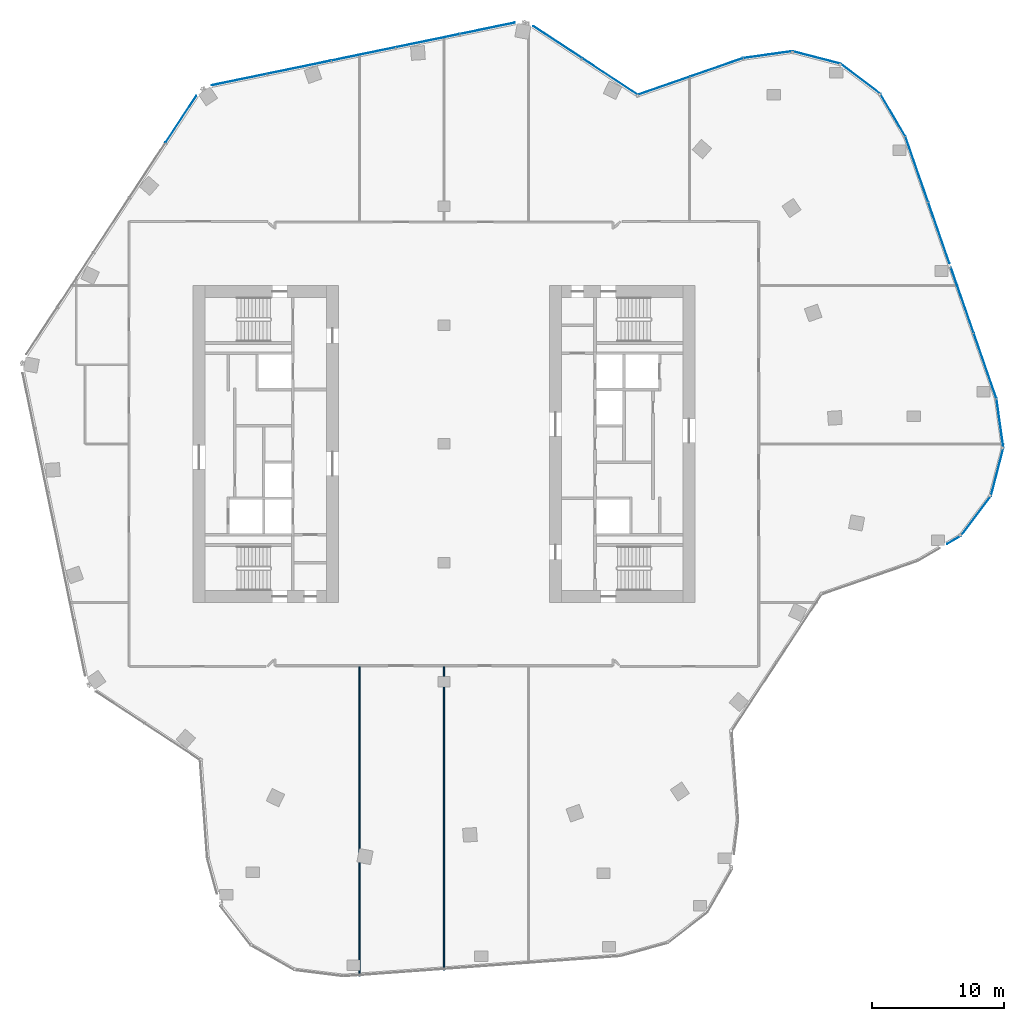
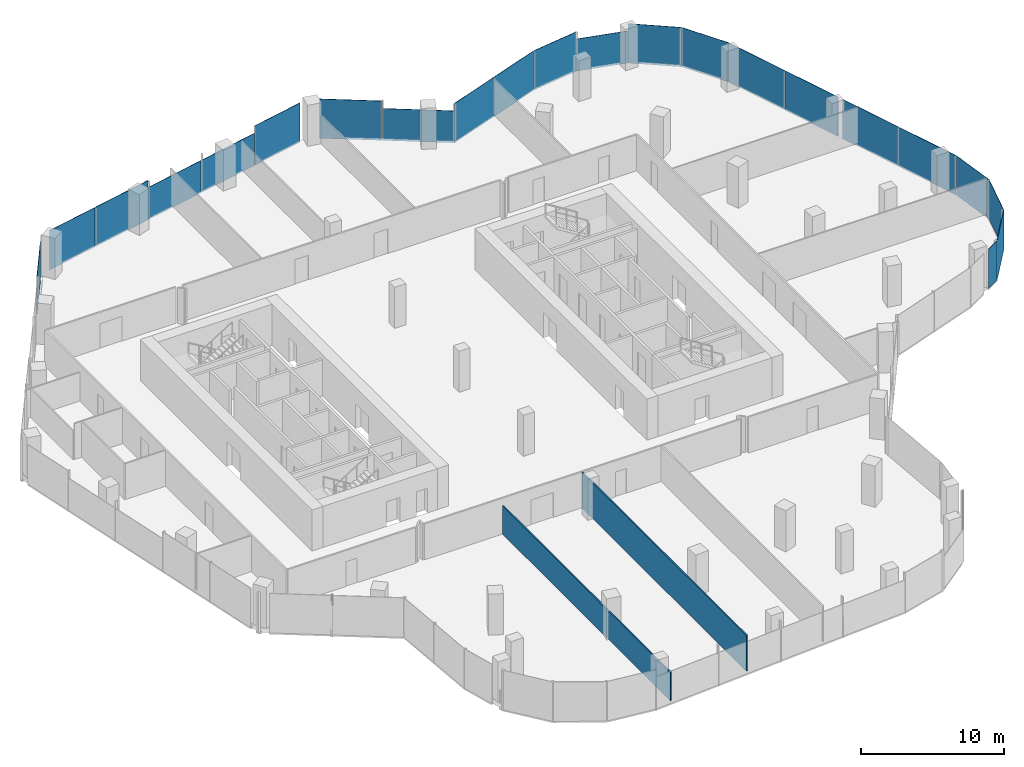
# One storey, part 17 of 24: 22 plates, 2 walls, 13 elements without a shape of their own.
"""IFC4 building model written with IfcOpenShell, lengths in metres."""

from ifc_helpers import new_model, si_unit, direction, frame, frame_2d, origin, origin_2d, place, context, subcontext, project, spatial, rectangle, extrude, material, layer, layer_set, type_object, element, aggregate, save


model = new_model("IFC4")

# Units and contexts
model_context = context("Model", 3, precision=1e-05, world=origin(), true_north=direction((0.0, 1.0)))
body_context = subcontext(model_context, "Body", "Model", "MODEL_VIEW")
ifc_project = project(units=[si_unit("LENGTHUNIT", "METRE"), si_unit("AREAUNIT", "SQUARE_METRE"), si_unit("VOLUMEUNIT", "CUBIC_METRE"), si_unit("PLANEANGLEUNIT", "RADIAN"), si_unit("MASSUNIT", "GRAM", prefix="KILO")], contexts=[model_context])

# Site, building, storey
site_placement = place(None, origin())
site = spatial("IfcSite", under=ifc_project, at=site_placement, CompositionType="ELEMENT")
building_placement = place(site_placement, origin())
building = spatial("IfcBuilding", under=site, at=building_placement, Name="Orlundy Tower", CompositionType="ELEMENT")
storey_placement = place(building_placement, frame((0.0, 0.0, 246.0)))
storey = spatial("IfcBuildingStorey", under=building, at=storey_placement, Name="L65", CompositionType="ELEMENT", Elevation=246.0)

# Curtain wall, plate
ifc_material_1 = material(Name="Aluminium bronze anodised", Category="aluminium")
curtain_wall_type = type_object("IfcCurtainWallType", Name="CW1 wall", PredefinedType="NOTDEFINED", material=ifc_material_1)
curtain_wall_1_placement = place(storey_placement, origin())
curtain_wall_1 = element("IfcCurtainWall", 1, at=curtain_wall_1_placement, inside=storey, type_object=curtain_wall_type, Name="CW1 run 015", PredefinedType="NOTDEFINED")
ifc_material_2 = material(Name="Tinted glass", Category="glass")
ifc_layer_1 = layer(ifc_material_2, 0.031982421875)
ifc_layer_set_1 = layer_set([ifc_layer_1], Name="CW1 glass panel 32")
plate_type = type_object("IfcPlateType", Name="CW1 glass panel 32", PredefinedType="CURTAIN_PANEL", material=ifc_layer_set_1)
plate_1_placement = place(storey_placement, frame((-19.9287109375, 24.592041015625, -0.2802734375), z_axis=(0.0, 0.0, 1.0), x_axis=(0.5495174705, 0.835482225793, 0.0)))
plate_1 = element("IfcPlate", 2, at=plate_1_placement, type_object=plate_type, Name="CW1 panel", PredefinedType="CURTAIN_PANEL", context=body_context, shape_type="SweptSolid", body=[
    extrude(rectangle(XDim=4.229248046875, YDim=0.031982421875, at=origin_2d()), origin(), (0.0, 0.0, 1.0), 3.360107421875),
])
aggregate(curtain_wall_1, [plate_1])

# Curtain wall, plates
curtain_wall_2_placement = place(storey_placement, origin())
curtain_wall_2 = element("IfcCurtainWall", 3, at=curtain_wall_2_placement, inside=storey, type_object=curtain_wall_type, Name="CW1 run 016", PredefinedType="NOTDEFINED")
plate_2_placement = place(storey_placement, frame((-15.496337890625, 27.60009765625, -0.2802734375), z_axis=(0.0, 0.0, 1.0), x_axis=(0.979337428215, 0.202233038095, 0.0)))
plate_2 = element("IfcPlate", 4, at=plate_2_placement, type_object=plate_type, Name="CW1 panel", PredefinedType="CURTAIN_PANEL", context=body_context, shape_type="SweptSolid", body=[
    extrude(rectangle(XDim=4.228271484375, YDim=0.031982421875, at=origin_2d()), origin(), (0.0, 0.0, 1.0), 3.360107421875),
])
plate_3_placement = place(storey_placement, frame((-10.967529296875, 28.535400390625, -0.2802734375), z_axis=(0.0, 0.0, 1.0), x_axis=(0.979337428215, 0.202233038095, 0.0)))
plate_3 = element("IfcPlate", 5, at=plate_3_placement, type_object=plate_type, Name="CW1 panel", PredefinedType="CURTAIN_PANEL", context=body_context, shape_type="SweptSolid", body=[
    extrude(rectangle(XDim=4.92041015625, YDim=0.031982421875, at=origin_2d()), origin(), (0.0, 0.0, 1.0), 3.360107421875),
])
plate_4_placement = place(storey_placement, frame((-6.099609375, 29.54052734375, -0.27978515625), z_axis=(0.0, 0.0, 1.0), x_axis=(0.979337428215, 0.202233038095, 0.0)))
plate_4 = element("IfcPlate", 6, at=plate_4_placement, type_object=plate_type, Name="CW1 panel", PredefinedType="CURTAIN_PANEL", context=body_context, shape_type="SweptSolid", body=[
    extrude(rectangle(XDim=4.92041015625, YDim=0.031982421875, at=origin_2d()), origin(), (0.0, 0.0, 1.0), 2.743896484375),
])
plate_5_placement = place(storey_placement, frame((-1.23193359375, 30.5458984375, -0.27978515625), z_axis=(0.0, 0.0, 1.0), x_axis=(0.979337428215, 0.202233038095, 0.0)))
plate_5 = element("IfcPlate", 7, at=plate_5_placement, type_object=plate_type, Name="CW1 panel", PredefinedType="CURTAIN_PANEL", context=body_context, shape_type="SweptSolid", body=[
    extrude(rectangle(XDim=4.92041015625, YDim=0.031982421875, at=origin_2d()), origin(), (0.0, 0.0, 1.0), 2.743896484375),
])
plate_6_placement = place(storey_placement, frame((3.297119140625, 31.48095703125, -0.2802734375), z_axis=(0.0, 0.0, 1.0), x_axis=(0.979337428215, 0.202233038095, 0.0)))
plate_6 = element("IfcPlate", 8, at=plate_6_placement, type_object=plate_type, Name="CW1 panel", PredefinedType="CURTAIN_PANEL", context=body_context, shape_type="SweptSolid", body=[
    extrude(rectangle(XDim=4.228759765625, YDim=0.031982421875, at=origin_2d()), origin(), (0.0, 0.0, 1.0), 3.360107421875),
])
aggregate(curtain_wall_2, [plate_2, plate_3, plate_4, plate_5, plate_6])

curtain_wall_3_placement = place(storey_placement, origin())
curtain_wall_3 = element("IfcCurtainWall", 9, at=curtain_wall_3_placement, inside=storey, type_object=curtain_wall_type, Name="CW1 run 017", PredefinedType="NOTDEFINED")
plate_7_placement = place(storey_placement, frame((8.620361328125, 30.43359375, -0.2802734375), z_axis=(0.0, 0.0, 1.0), x_axis=(0.835505597573, -0.549481934574, 0.0)))
plate_7 = element("IfcPlate", 10, at=plate_7_placement, type_object=plate_type, Name="CW1 panel", PredefinedType="CURTAIN_PANEL", context=body_context, shape_type="SweptSolid", body=[
    extrude(rectangle(XDim=4.37646484375, YDim=0.031982421875, at=origin_2d()), origin(), (0.0, 0.0, 1.0), 3.360107421875),
])
plate_8_placement = place(storey_placement, frame((12.58447265625, 27.82666015625, -0.27978515625), z_axis=(0.0, 0.0, 1.0), x_axis=(0.835505597573, -0.549481934574, 0.0)))
plate_8 = element("IfcPlate", 11, at=plate_8_placement, type_object=plate_type, Name="CW1 panel", PredefinedType="CURTAIN_PANEL", context=body_context, shape_type="SweptSolid", body=[
    extrude(rectangle(XDim=5.0126953125, YDim=0.031982421875, at=origin_2d()), origin(), (0.0, 0.0, 1.0), 2.719970703125),
])
aggregate(curtain_wall_3, [plate_7, plate_8])

curtain_wall_4_placement = place(storey_placement, origin())
curtain_wall_4 = element("IfcCurtainWall", 12, at=curtain_wall_4_placement, inside=storey, type_object=curtain_wall_type, Name="CW1 run 018", PredefinedType="NOTDEFINED")
plate_9_placement = place(storey_placement, frame((16.643310546875, 27.13232421875, -0.2802734375), z_axis=(0.0, 0.0, 1.0), x_axis=(0.94457424985, 0.328297862498, 0.0)))
plate_9 = element("IfcPlate", 13, at=plate_9_placement, type_object=plate_type, Name="CW1 panel", PredefinedType="CURTAIN_PANEL", context=body_context, shape_type="SweptSolid", body=[
    extrude(rectangle(XDim=4.16015625, YDim=0.031982421875, at=origin_2d()), origin(), (0.0, 0.0, 1.0), 3.360107421875),
])
plate_10_placement = place(storey_placement, frame((20.654052734375, 28.5263671875, -0.2802734375), z_axis=(0.0, 0.0, 1.0), x_axis=(0.94457424985, 0.328297862498, 0.0)))
plate_10 = element("IfcPlate", 14, at=plate_10_placement, type_object=plate_type, Name="CW1 panel", PredefinedType="CURTAIN_PANEL", context=body_context, shape_type="SweptSolid", body=[
    extrude(rectangle(XDim=4.23193359375, YDim=0.031982421875, at=origin_2d()), origin(), (0.0, 0.0, 1.0), 3.360107421875),
])
aggregate(curtain_wall_4, [plate_9, plate_10])

# Curtain wall, plate
curtain_wall_5_placement = place(storey_placement, origin())
curtain_wall_5 = element("IfcCurtainWall", 15, at=curtain_wall_5_placement, inside=storey, type_object=curtain_wall_type, Name="CW1 run 019", PredefinedType="NOTDEFINED")
plate_11_placement = place(storey_placement, frame((24.549072265625, 29.48974609375, -0.2802734375), z_axis=(0.0, 0.0, 1.0), x_axis=(0.99045548405, 0.137832993566, 0.0)))
plate_11 = element("IfcPlate", 16, at=plate_11_placement, type_object=plate_type, Name="CW1 panel", PredefinedType="CURTAIN_PANEL", context=body_context, shape_type="SweptSolid", body=[
    extrude(rectangle(XDim=3.73095703125, YDim=0.031982421875, at=origin_2d()), origin(), (0.0, 0.0, 1.0), 3.360107421875),
])
aggregate(curtain_wall_5, [plate_11])

curtain_wall_6_placement = place(storey_placement, origin())
curtain_wall_6 = element("IfcCurtainWall", 17, at=curtain_wall_6_placement, inside=storey, type_object=curtain_wall_type, Name="CW1 run 020", PredefinedType="NOTDEFINED")
plate_12_placement = place(storey_placement, frame((28.221923828125, 29.271728515625, -0.27978515625), z_axis=(0.0, 0.0, 1.0), x_axis=(0.967731773149, -0.251982569313, 0.0)))
plate_12 = element("IfcPlate", 18, at=plate_12_placement, type_object=plate_type, Name="CW1 panel", PredefinedType="CURTAIN_PANEL", context=body_context, shape_type="SweptSolid", body=[
    extrude(rectangle(XDim=3.77197265625, YDim=0.031982421875, at=origin_2d()), origin(), (0.0, 0.0, 1.0), 2.743896484375),
])
aggregate(curtain_wall_6, [plate_12])

curtain_wall_7_placement = place(storey_placement, origin())
curtain_wall_7 = element("IfcCurtainWall", 19, at=curtain_wall_7_placement, inside=storey, type_object=curtain_wall_type, Name="CW1 run 021", PredefinedType="NOTDEFINED")
plate_13_placement = place(storey_placement, frame((31.55126953125, 27.659423828125, -0.2802734375), z_axis=(0.0, 0.0, 1.0), x_axis=(0.797760617853, -0.602974291826, 0.0)))
plate_13 = element("IfcPlate", 20, at=plate_13_placement, type_object=plate_type, Name="CW1 panel", PredefinedType="CURTAIN_PANEL", context=body_context, shape_type="SweptSolid", body=[
    extrude(rectangle(XDim=3.771728515625, YDim=0.031982421875, at=origin_2d()), origin(), (0.0, 0.0, 1.0), 3.360107421875),
])
aggregate(curtain_wall_7, [plate_13])

curtain_wall_8_placement = place(storey_placement, origin())
curtain_wall_8 = element("IfcCurtainWall", 21, at=curtain_wall_8_placement, inside=storey, type_object=curtain_wall_type, Name="CW1 run 022", PredefinedType="NOTDEFINED")
plate_14_placement = place(storey_placement, frame((34.00048828125, 24.9140625, -0.2802734375), z_axis=(0.0, 0.0, 1.0), x_axis=(0.506418670322, -0.862287730604, 0.0)))
plate_14 = element("IfcPlate", 22, at=plate_14_placement, type_object=plate_type, Name="CW1 panel", PredefinedType="CURTAIN_PANEL", context=body_context, shape_type="SweptSolid", body=[
    extrude(rectangle(XDim=3.72998046875, YDim=0.031982421875, at=origin_2d()), origin(), (0.0, 0.0, 1.0), 3.360107421875),
])
aggregate(curtain_wall_8, [plate_14])

# Curtain wall, plates
curtain_wall_9_placement = place(storey_placement, origin())
curtain_wall_9 = element("IfcCurtainWall", 23, at=curtain_wall_9_placement, inside=storey, type_object=curtain_wall_type, Name="CW1 run 023", PredefinedType="NOTDEFINED")
plate_15_placement = place(storey_placement, frame((35.822021484375, 20.796875, -0.2802734375), z_axis=(0.0, 0.0, 1.0), x_axis=(0.328287898416, -0.944577712924, 0.0)))
plate_15 = element("IfcPlate", 24, at=plate_15_placement, type_object=plate_type, Name="CW1 panel", PredefinedType="CURTAIN_PANEL", context=body_context, shape_type="SweptSolid", body=[
    extrude(rectangle(XDim=5.216064453125, YDim=0.031982421875, at=origin_2d()), origin(), (0.0, 0.0, 1.0), 3.360107421875),
])
plate_16_placement = place(storey_placement, frame((37.49169921875, 15.9931640625, -0.2802734375), z_axis=(0.0, 0.0, 1.0), x_axis=(0.328287898416, -0.944577712924, 0.0)))
plate_16 = element("IfcPlate", 25, at=plate_16_placement, type_object=plate_type, Name="CW1 panel", PredefinedType="CURTAIN_PANEL", context=body_context, shape_type="SweptSolid", body=[
    extrude(rectangle(XDim=4.855224609375, YDim=0.031982421875, at=origin_2d()), origin(), (0.0, 0.0, 1.0), 3.360107421875),
])
plate_17_placement = place(storey_placement, frame((39.271728515625, 10.871337890625, -0.2802734375), z_axis=(0.0, 0.0, 1.0), x_axis=(0.328287898416, -0.944577712924, 0.0)))
plate_17 = element("IfcPlate", 26, at=plate_17_placement, type_object=plate_type, Name="CW1 panel", PredefinedType="CURTAIN_PANEL", context=body_context, shape_type="SweptSolid", body=[
    extrude(rectangle(XDim=5.199951171875, YDim=0.031982421875, at=origin_2d()), origin(), (0.0, 0.0, 1.0), 3.360107421875),
])
plate_18_placement = place(storey_placement, frame((40.997802734375, 5.90478515625, -0.2802734375), z_axis=(0.0, 0.0, 1.0), x_axis=(0.328287898416, -0.944577712924, 0.0)))
plate_18 = element("IfcPlate", 27, at=plate_18_placement, type_object=plate_type, Name="CW1 panel", PredefinedType="CURTAIN_PANEL", context=body_context, shape_type="SweptSolid", body=[
    extrude(rectangle(XDim=5.216064453125, YDim=0.031982421875, at=origin_2d()), origin(), (0.0, 0.0, 1.0), 3.360107421875),
])
aggregate(curtain_wall_9, [plate_15, plate_16, plate_17, plate_18])

# Curtain wall, plate
curtain_wall_10_placement = place(storey_placement, origin())
curtain_wall_10 = element("IfcCurtainWall", 28, at=curtain_wall_10_placement, inside=storey, type_object=curtain_wall_type, Name="CW1 run 024", PredefinedType="NOTDEFINED")
plate_19_placement = place(storey_placement, frame((42.122802734375, 1.544921875, -0.2802734375), z_axis=(0.0, 0.0, 1.0), x_axis=(0.137832993566, -0.99045548405, 0.0)))
plate_19 = element("IfcPlate", 29, at=plate_19_placement, type_object=plate_type, Name="CW1 panel", PredefinedType="CURTAIN_PANEL", context=body_context, shape_type="SweptSolid", body=[
    extrude(rectangle(XDim=3.73095703125, YDim=0.031982421875, at=origin_2d()), origin(), (0.0, 0.0, 1.0), 3.360107421875),
])
aggregate(curtain_wall_10, [plate_19])

curtain_wall_11_placement = place(storey_placement, origin())
curtain_wall_11 = element("IfcCurtainWall", 30, at=curtain_wall_11_placement, inside=storey, type_object=curtain_wall_type, Name="CW1 run 025", PredefinedType="NOTDEFINED")
plate_20_placement = place(storey_placement, frame((41.9052734375, -2.127685546875, -0.2802734375), z_axis=(0.0, 0.0, 1.0), x_axis=(-0.251729885218, -0.967797533004, 0.0)))
plate_20 = element("IfcPlate", 31, at=plate_20_placement, type_object=plate_type, Name="CW1 panel", PredefinedType="CURTAIN_PANEL", context=body_context, shape_type="SweptSolid", body=[
    extrude(rectangle(XDim=3.771728515625, YDim=0.031982421875, at=origin_2d()), origin(), (0.0, 0.0, 1.0), 3.360107421875),
])
aggregate(curtain_wall_11, [plate_20])

curtain_wall_12_placement = place(storey_placement, origin())
curtain_wall_12 = element("IfcCurtainWall", 32, at=curtain_wall_12_placement, inside=storey, type_object=curtain_wall_type, Name="CW1 run 026", PredefinedType="NOTDEFINED")
plate_21_placement = place(storey_placement, frame((40.292724609375, -5.457275390625, -0.2802734375), z_axis=(0.0, 0.0, 1.0), x_axis=(-0.603145948405, -0.797630845017, 0.0)))
plate_21 = element("IfcPlate", 33, at=plate_21_placement, type_object=plate_type, Name="CW1 panel", PredefinedType="CURTAIN_PANEL", context=body_context, shape_type="SweptSolid", body=[
    extrude(rectangle(XDim=3.7724609375, YDim=0.031982421875, at=origin_2d()), origin(), (0.0, 0.0, 1.0), 3.360107421875),
])
aggregate(curtain_wall_12, [plate_21])

curtain_wall_13_placement = place(storey_placement, origin())
curtain_wall_13 = element("IfcCurtainWall", 34, at=curtain_wall_13_placement, inside=storey, type_object=curtain_wall_type, Name="CW1 run 027", PredefinedType="NOTDEFINED")
plate_22_placement = place(storey_placement, frame((38.63916015625, -7.264892578125, -0.2802734375), z_axis=(0.0, 0.0, 1.0), x_axis=(-0.862287730604, -0.506418670322, 0.0)))
plate_22 = element("IfcPlate", 35, at=plate_22_placement, type_object=plate_type, Name="CW1 panel", PredefinedType="CURTAIN_PANEL", context=body_context, shape_type="SweptSolid", body=[
    extrude(rectangle(XDim=1.197021484375, YDim=0.031982421875, at=origin_2d()), origin(), (0.0, 0.0, 1.0), 3.360107421875),
])
aggregate(curtain_wall_13, [plate_22])

# Walls
ifc_material_3 = material(Name="Gypsum board partition")
ifc_layer_2 = layer(ifc_material_3, 0.10009765625)
ifc_layer_set_2 = layer_set([ifc_layer_2], Name="Floor partition 100")
wall_type_1 = type_object("IfcWallType", Name="Floor partition 100", PredefinedType="PARTITIONING", material=ifc_layer_set_2)
wall_1_placement = place(storey_placement, frame((0.0, -39.85595703125, 0.0), z_axis=(0.0, 0.0, 1.0), x_axis=(0.0, 1.0, 0.0)))
element("IfcWall", 36, at=wall_1_placement, inside=storey, type_object=wall_type_1, Name="wall-int-L65-024", PredefinedType="PARTITIONING", context=body_context, shape_type="SweptSolid", body=[
    extrude(rectangle(XDim=22.992919921875, YDim=0.10009765625, at=frame_2d((11.49658203125, 0.0))), origin(), (0.0, 0.0, 1.0), 3.06005859375),
])
ifc_material_4 = material(Name="Gypsum board partition")
ifc_layer_3 = layer(ifc_material_4, 0.10009765625)
ifc_layer_set_3 = layer_set([ifc_layer_3], Name="Floor partition 100 B")
wall_type_2 = type_object("IfcWallType", Name="Floor partition 100 B", PredefinedType="PARTITIONING", material=ifc_layer_set_3)
wall_2_placement = place(storey_placement, frame((-6.39892578125, -40.322021484375, 0.0), z_axis=(0.0, 0.0, 1.0), x_axis=(0.0, 1.0, 0.0)))
element("IfcWall", 37, at=wall_2_placement, inside=storey, type_object=wall_type_2, Name="wall-int-L65-026", PredefinedType="PARTITIONING", context=body_context, shape_type="SweptSolid", body=[
    extrude(rectangle(XDim=23.458984375, YDim=0.10009765625, at=frame_2d((11.7294921875, 0.0))), origin(), (0.0, 0.0, 1.0), 2.425048828125),
])

save(model, "model.ifc")
